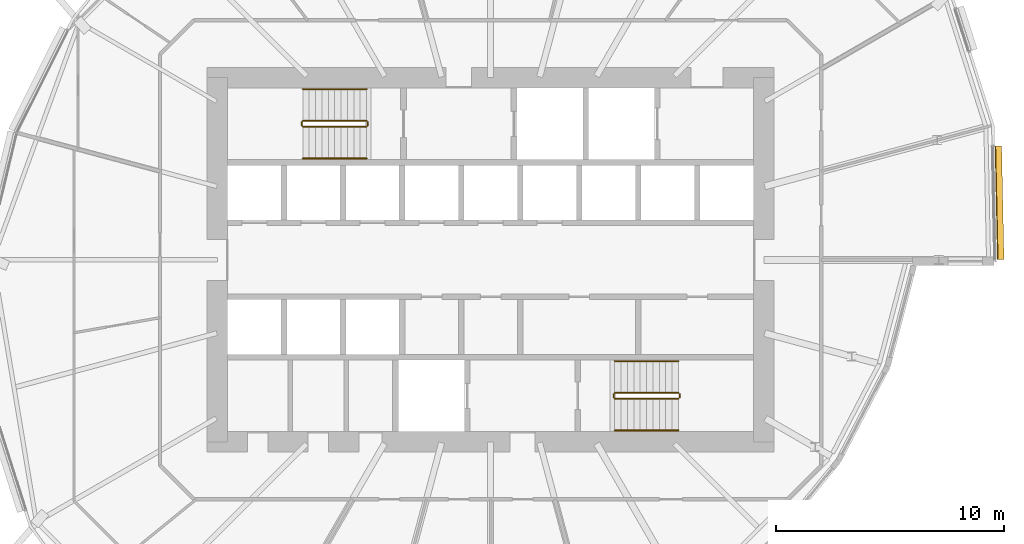
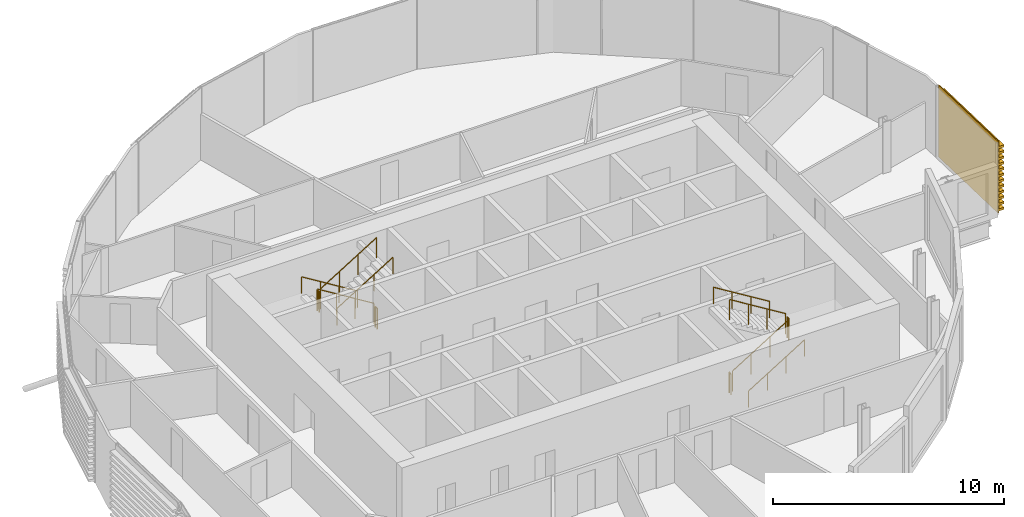
# One storey, part 37 of 38: 12 railings, 1 covering.
"""IFC4 building model written with IfcOpenShell, lengths in metres."""

from ifc_helpers import new_model, si_unit, direction, frame, origin, origin_2d, place, context, subcontext, project, spatial, polyline, circle, outline, extrude, material, material_profile, profile_set, type_object, element, save


model = new_model("IFC4")

# Units and contexts
model_context = context("Model", 3, precision=1e-05, world=origin(), true_north=direction((0.0, 1.0)))
body_context = subcontext(model_context, "Body", "Model", "MODEL_VIEW")
ifc_project = project(units=[si_unit("LENGTHUNIT", "METRE"), si_unit("AREAUNIT", "SQUARE_METRE"), si_unit("VOLUMEUNIT", "CUBIC_METRE"), si_unit("PLANEANGLEUNIT", "RADIAN"), si_unit("MASSUNIT", "GRAM", prefix="KILO")], contexts=[model_context])

# Site, building, storey
site_placement = place(None, origin())
site = spatial("IfcSite", under=ifc_project, at=site_placement, CompositionType="ELEMENT")
building_placement = place(site_placement, origin())
building = spatial("IfcBuilding", under=site, at=building_placement, Name="Rimbun Link Towers", CompositionType="ELEMENT")
storey_placement = place(building_placement, frame((0.0, 0.0, 68.0)))
storey = spatial("IfcBuildingStorey", under=building, at=storey_placement, Name="L16", CompositionType="ELEMENT", Elevation=68.0)

# Railings
ifc_material_1 = material(Name="Stainless steel grade 316", Category="steel")
railing_type_1 = type_object("IfcRailingType", Name="Stair guard", PredefinedType="GUARDRAIL", material=ifc_material_1)
railing_1_placement = place(storey_placement, frame((26.300048828125, 6.10009765625, 0.172607421875)))
element("IfcRailing", 1, at=railing_1_placement, inside=storey, type_object=railing_type_1, Name="L16 ST3 stair guard 1", PredefinedType="GUARDRAIL", context=body_context, shape_type="SweptSolid", body=[
    extrude(circle(Radius=0.02392578125, at=origin_2d()), frame((0.0, 0.0, 1.076171875), z_axis=(-0.851089632645, 0.0, 0.525020415988), x_axis=(0.0, -1.0, 0.0)), (0.0, 0.0, 1.0), 3.2900390625),
    extrude(circle(Radius=0.02099609375, at=origin_2d()), origin(), (0.0, 0.0, 1.0), 1.052001953125),
    extrude(circle(Radius=0.02099609375, at=origin_2d()), frame((-0.933349609375, 0.0, 0.57568359375)), (0.0, 0.0, 1.0), 1.052001953125),
    extrude(circle(Radius=0.02099609375, at=origin_2d()), frame((-1.86669921875, 0.0, 1.151611328125)), (0.0, 0.0, 1.0), 1.052001953125),
    extrude(circle(Radius=0.02099609375, at=origin_2d()), frame((-2.800048828125, 0.0, 1.727294921875)), (0.0, 0.0, 1.0), 1.052001953125),
])
railing_2_placement = place(storey_placement, frame((23.449951171875, 6.050048828125, 1.89990234375)))
element("IfcRailing", 2, at=railing_2_placement, inside=storey, type_object=railing_type_1, Name="L16 ST3 stair guard 2", PredefinedType="GUARDRAIL", context=body_context, shape_type="SweptSolid", body=[
    extrude(circle(Radius=0.02392578125, at=origin_2d()), frame((0.0, 0.0, 1.076171875), z_axis=(0.0, -1.0, 0.0), x_axis=(1.0, 0.0, 0.0)), (0.0, 0.0, 1.0), 0.150146484375),
    extrude(circle(Radius=0.02099609375, at=origin_2d()), origin(), (0.0, 0.0, 1.0), 1.052001953125),
    extrude(circle(Radius=0.02099609375, at=origin_2d()), frame((0.0, -0.150146484375, 0.0)), (0.0, 0.0, 1.0), 1.052001953125),
])
railing_3_placement = place(storey_placement, frame((23.5, 5.85009765625, 2.07275390625)))
element("IfcRailing", 3, at=railing_3_placement, inside=storey, type_object=railing_type_1, Name="L16 ST3 stair guard 3", PredefinedType="GUARDRAIL", context=body_context, shape_type="SweptSolid", body=[
    extrude(circle(Radius=0.02392578125, at=origin_2d()), frame((0.0, 0.0, 1.076171875), z_axis=(0.851089632645, 0.0, 0.525020415988), x_axis=(0.0, 1.0, 0.0)), (0.0, 0.0, 1.0), 3.2900390625),
    extrude(circle(Radius=0.02099609375, at=origin_2d()), origin(), (0.0, 0.0, 1.0), 1.052001953125),
    extrude(circle(Radius=0.02099609375, at=origin_2d()), frame((0.933349609375, 0.0, 0.57568359375)), (0.0, 0.0, 1.0), 1.052001953125),
    extrude(circle(Radius=0.02099609375, at=origin_2d()), frame((1.86669921875, 0.0, 1.151611328125)), (0.0, 0.0, 1.0), 1.052001953125),
    extrude(circle(Radius=0.02099609375, at=origin_2d()), frame((2.800048828125, 0.0, 1.727294921875)), (0.0, 0.0, 1.0), 1.052001953125),
])
railing_4_placement = place(storey_placement, frame((26.35009765625, 6.050048828125, 0.0)))
element("IfcRailing", 4, at=railing_4_placement, inside=storey, type_object=railing_type_1, Name="L16 ST3 stair guard 4", PredefinedType="GUARDRAIL", context=body_context, shape_type="SweptSolid", body=[
    extrude(circle(Radius=0.02392578125, at=origin_2d()), frame((0.0, 0.0, 1.076171875), z_axis=(0.0, -1.0, 0.0), x_axis=(1.0, 0.0, 0.0)), (0.0, 0.0, 1.0), 0.150146484375),
    extrude(circle(Radius=0.02099609375, at=origin_2d()), origin(), (0.0, 0.0, 1.0), 1.052001953125),
    extrude(circle(Radius=0.02099609375, at=origin_2d()), frame((0.0, -0.150146484375, 0.0)), (0.0, 0.0, 1.0), 1.052001953125),
])
railing_5_placement = place(storey_placement, frame((37.199951171875, -6.10009765625, 0.172607421875)))
element("IfcRailing", 5, at=railing_5_placement, inside=storey, type_object=railing_type_1, Name="L16 ST4 stair guard 1", PredefinedType="GUARDRAIL", context=body_context, shape_type="SweptSolid", body=[
    extrude(circle(Radius=0.02392578125, at=origin_2d()), frame((0.0, 0.0, 1.076171875), z_axis=(0.851089632645, 0.0, 0.525020415988), x_axis=(0.0, 1.0, 0.0)), (0.0, 0.0, 1.0), 3.2900390625),
    extrude(circle(Radius=0.02099609375, at=origin_2d()), origin(), (0.0, 0.0, 1.0), 1.052001953125),
    extrude(circle(Radius=0.02099609375, at=origin_2d()), frame((0.933349609375, 0.0, 0.57568359375)), (0.0, 0.0, 1.0), 1.052001953125),
    extrude(circle(Radius=0.02099609375, at=origin_2d()), frame((1.86669921875, 0.0, 1.151611328125)), (0.0, 0.0, 1.0), 1.052001953125),
    extrude(circle(Radius=0.02099609375, at=origin_2d()), frame((2.800048828125, 0.0, 1.727294921875)), (0.0, 0.0, 1.0), 1.052001953125),
])
railing_6_placement = place(storey_placement, frame((40.050048828125, -6.050048828125, 1.89990234375)))
element("IfcRailing", 6, at=railing_6_placement, inside=storey, type_object=railing_type_1, Name="L16 ST4 stair guard 2", PredefinedType="GUARDRAIL", context=body_context, shape_type="SweptSolid", body=[
    extrude(circle(Radius=0.02392578125, at=origin_2d()), frame((0.0, 0.0, 1.076171875), z_axis=(0.0, 1.0, 0.0), x_axis=(-1.0, 0.0, 0.0)), (0.0, 0.0, 1.0), 0.150146484375),
    extrude(circle(Radius=0.02099609375, at=origin_2d()), origin(), (0.0, 0.0, 1.0), 1.052001953125),
    extrude(circle(Radius=0.02099609375, at=origin_2d()), frame((0.0, 0.150146484375, 0.0)), (0.0, 0.0, 1.0), 1.052001953125),
])
railing_7_placement = place(storey_placement, frame((40.0, -5.85009765625, 2.07275390625)))
element("IfcRailing", 7, at=railing_7_placement, inside=storey, type_object=railing_type_1, Name="L16 ST4 stair guard 3", PredefinedType="GUARDRAIL", context=body_context, shape_type="SweptSolid", body=[
    extrude(circle(Radius=0.02392578125, at=origin_2d()), frame((0.0, 0.0, 1.076171875), z_axis=(-0.851089632645, 0.0, 0.525020415988), x_axis=(0.0, -1.0, 0.0)), (0.0, 0.0, 1.0), 3.2900390625),
    extrude(circle(Radius=0.02099609375, at=origin_2d()), origin(), (0.0, 0.0, 1.0), 1.052001953125),
    extrude(circle(Radius=0.02099609375, at=origin_2d()), frame((-0.933349609375, 0.0, 0.57568359375)), (0.0, 0.0, 1.0), 1.052001953125),
    extrude(circle(Radius=0.02099609375, at=origin_2d()), frame((-1.86669921875, 0.0, 1.151611328125)), (0.0, 0.0, 1.0), 1.052001953125),
    extrude(circle(Radius=0.02099609375, at=origin_2d()), frame((-2.800048828125, 0.0, 1.727294921875)), (0.0, 0.0, 1.0), 1.052001953125),
])
railing_8_placement = place(storey_placement, frame((37.14990234375, -6.050048828125, 0.0)))
element("IfcRailing", 8, at=railing_8_placement, inside=storey, type_object=railing_type_1, Name="L16 ST4 stair guard 4", PredefinedType="GUARDRAIL", context=body_context, shape_type="SweptSolid", body=[
    extrude(circle(Radius=0.02392578125, at=origin_2d()), frame((0.0, 0.0, 1.076171875), z_axis=(0.0, 1.0, 0.0), x_axis=(-1.0, 0.0, 0.0)), (0.0, 0.0, 1.0), 0.150146484375),
    extrude(circle(Radius=0.02099609375, at=origin_2d()), origin(), (0.0, 0.0, 1.0), 1.052001953125),
    extrude(circle(Radius=0.02099609375, at=origin_2d()), frame((0.0, 0.150146484375, 0.0)), (0.0, 0.0, 1.0), 1.052001953125),
])
ifc_material_2 = material(Name="Stainless steel grade 316", Category="steel")
railing_type_2 = type_object("IfcRailingType", Name="Stair handrail", PredefinedType="HANDRAIL", material=ifc_material_2)
railing_9_placement = place(storey_placement, frame((26.300048828125, 7.5, 0.172607421875)))
element("IfcRailing", 9, at=railing_9_placement, inside=storey, type_object=railing_type_2, Name="L16 ST3 stair handrail 1", PredefinedType="HANDRAIL", context=body_context, shape_type="SweptSolid", body=[
    extrude(circle(Radius=0.02392578125, at=origin_2d()), frame((0.0, 0.0, 0.8759765625), z_axis=(-0.851089632645, 0.0, 0.525020415988), x_axis=(0.0, -1.0, 0.0)), (0.0, 0.0, 1.0), 3.2900390625),
    extrude(circle(Radius=0.02099609375, at=origin_2d()), origin(), (0.0, 0.0, 1.0), 0.851806640625),
    extrude(circle(Radius=0.02099609375, at=origin_2d()), frame((-0.933349609375, 0.0, 0.57568359375)), (0.0, 0.0, 1.0), 0.851806640625),
    extrude(circle(Radius=0.02099609375, at=origin_2d()), frame((-1.86669921875, 0.0, 1.151611328125)), (0.0, 0.0, 1.0), 0.851806640625),
    extrude(circle(Radius=0.02099609375, at=origin_2d()), frame((-2.800048828125, 0.0, 1.727294921875)), (0.0, 0.0, 1.0), 0.851806640625),
])
for number, where, name in (
    (10, (23.5, 4.449951171875, 2.07275390625), "L16 ST3 stair handrail 2"),
    (11, (37.199951171875, -7.5, 0.172607421875), "L16 ST4 stair handrail 1"),
):
    element("IfcRailing", number, at=place(storey_placement, frame(where)), inside=storey, type_object=railing_type_2, Name=name, PredefinedType="HANDRAIL", context=body_context, shape_type="SweptSolid", body=[
        extrude(circle(Radius=0.02392578125, at=origin_2d()), frame((0.0, 0.0, 0.8759765625), z_axis=(0.851089632645, 0.0, 0.525020415988), x_axis=(0.0, 1.0, 0.0)), (0.0, 0.0, 1.0), 3.2900390625),
        extrude(circle(Radius=0.02099609375, at=origin_2d()), origin(), (0.0, 0.0, 1.0), 0.851806640625),
        extrude(circle(Radius=0.02099609375, at=origin_2d()), frame((0.933349609375, 0.0, 0.57568359375)), (0.0, 0.0, 1.0), 0.851806640625),
        extrude(circle(Radius=0.02099609375, at=origin_2d()), frame((1.86669921875, 0.0, 1.151611328125)), (0.0, 0.0, 1.0), 0.851806640625),
        extrude(circle(Radius=0.02099609375, at=origin_2d()), frame((2.800048828125, 0.0, 1.727294921875)), (0.0, 0.0, 1.0), 0.851806640625),
    ])
railing_10_placement = place(storey_placement, frame((40.0, -4.449951171875, 2.07275390625)))
element("IfcRailing", 12, at=railing_10_placement, inside=storey, type_object=railing_type_2, Name="L16 ST4 stair handrail 2", PredefinedType="HANDRAIL", context=body_context, shape_type="SweptSolid", body=[
    extrude(circle(Radius=0.02392578125, at=origin_2d()), frame((0.0, 0.0, 0.8759765625), z_axis=(-0.851089632645, 0.0, 0.525020415988), x_axis=(0.0, -1.0, 0.0)), (0.0, 0.0, 1.0), 3.2900390625),
    extrude(circle(Radius=0.02099609375, at=origin_2d()), origin(), (0.0, 0.0, 1.0), 0.851806640625),
    extrude(circle(Radius=0.02099609375, at=origin_2d()), frame((-0.933349609375, 0.0, 0.57568359375)), (0.0, 0.0, 1.0), 0.851806640625),
    extrude(circle(Radius=0.02099609375, at=origin_2d()), frame((-1.86669921875, 0.0, 1.151611328125)), (0.0, 0.0, 1.0), 0.851806640625),
    extrude(circle(Radius=0.02099609375, at=origin_2d()), frame((-2.800048828125, 0.0, 1.727294921875)), (0.0, 0.0, 1.0), 0.851806640625),
])

# Covering
ifc_material_3 = material(Name="Terracotta", Category="masonry")
ifc_material_profile = material_profile(ifc_material_3, outline(polyline([(0.123046875, 0.0), (0.1630859375, 0.0), (0.1630859375, 0.10009765625), (0.423095703125, 0.10009765625), (0.423095703125, 0.219970703125), (0.1630859375, 0.219970703125), (0.1630859375, 0.39990234375), (0.423095703125, 0.39990234375), (0.423095703125, 0.52001953125), (0.1630859375, 0.52001953125), (0.1630859375, 0.699951171875), (0.423095703125, 0.699951171875), (0.423095703125, 0.820068359375), (0.1630859375, 0.820068359375), (0.1630859375, 1.0), (0.423095703125, 1.0), (0.423095703125, 1.1201171875), (0.1630859375, 1.1201171875), (0.1630859375, 1.300048828125), (0.423095703125, 1.300048828125), (0.423095703125, 1.419921875), (0.1630859375, 1.419921875), (0.1630859375, 1.60009765625), (0.423095703125, 1.60009765625), (0.423095703125, 1.719970703125), (0.1630859375, 1.719970703125), (0.1630859375, 1.89990234375), (0.423095703125, 1.89990234375), (0.423095703125, 2.02001953125), (0.1630859375, 2.02001953125), (0.1630859375, 2.199951171875), (0.423095703125, 2.199951171875), (0.423095703125, 2.320068359375), (0.1630859375, 2.320068359375), (0.1630859375, 2.5), (0.423095703125, 2.5), (0.423095703125, 2.6201171875), (0.1630859375, 2.6201171875), (0.1630859375, 2.800048828125), (0.423095703125, 2.800048828125), (0.423095703125, 2.919921875), (0.1630859375, 2.919921875), (0.1630859375, 3.10009765625), (0.423095703125, 3.10009765625), (0.423095703125, 3.219970703125), (0.1630859375, 3.219970703125), (0.1630859375, 3.39990234375), (0.423095703125, 3.39990234375), (0.423095703125, 3.52001953125), (0.1630859375, 3.52001953125), (0.1630859375, 3.800048828125), (0.123046875, 3.800048828125), (0.123046875, 0.0)])), Name="BAGUETTE 120X300")
ifc_profile_set = profile_set([ifc_material_profile], Name="Terracotta")
covering_type = type_object("IfcCoveringType", Name="TERRACOTTA BAGUETTE 120X300 H3800", PredefinedType="CLADDING", material=ifc_profile_set)
covering_placement = place(storey_placement, frame((53.773681640625, 4.996337890625, 0.0), z_axis=(0.021055677953, -0.999778304639, 0.0), x_axis=(0.999778304639, 0.021055677953, 0.0)))
element("IfcCovering", 13, at=covering_placement, inside=storey, type_object=covering_type, Name="TERRACOTTA BAGUETTE", PredefinedType="CLADDING", context=body_context, shape_type="SweptSolid", body=[
    extrude(outline(polyline([(0.123046875, 0.0), (0.1630859375, 0.0), (0.1630859375, 0.10009765625), (0.423095703125, 0.10009765625), (0.423095703125, 0.219970703125), (0.1630859375, 0.219970703125), (0.1630859375, 0.39990234375), (0.423095703125, 0.39990234375), (0.423095703125, 0.52001953125), (0.1630859375, 0.52001953125), (0.1630859375, 0.699951171875), (0.423095703125, 0.699951171875), (0.423095703125, 0.820068359375), (0.1630859375, 0.820068359375), (0.1630859375, 1.0), (0.423095703125, 1.0), (0.423095703125, 1.1201171875), (0.1630859375, 1.1201171875), (0.1630859375, 1.300048828125), (0.423095703125, 1.300048828125), (0.423095703125, 1.419921875), (0.1630859375, 1.419921875), (0.1630859375, 1.60009765625), (0.423095703125, 1.60009765625), (0.423095703125, 1.719970703125), (0.1630859375, 1.719970703125), (0.1630859375, 1.89990234375), (0.423095703125, 1.89990234375), (0.423095703125, 2.02001953125), (0.1630859375, 2.02001953125), (0.1630859375, 2.199951171875), (0.423095703125, 2.199951171875), (0.423095703125, 2.320068359375), (0.1630859375, 2.320068359375), (0.1630859375, 2.5), (0.423095703125, 2.5), (0.423095703125, 2.6201171875), (0.1630859375, 2.6201171875), (0.1630859375, 2.800048828125), (0.423095703125, 2.800048828125), (0.423095703125, 2.919921875), (0.1630859375, 2.919921875), (0.1630859375, 3.10009765625), (0.423095703125, 3.10009765625), (0.423095703125, 3.219970703125), (0.1630859375, 3.219970703125), (0.1630859375, 3.39990234375), (0.423095703125, 3.39990234375), (0.423095703125, 3.52001953125), (0.1630859375, 3.52001953125), (0.1630859375, 3.800048828125), (0.123046875, 3.800048828125), (0.123046875, 0.0)])), origin(), (0.0, 0.0, 1.0), 4.99755859375),
])

save(model, "model.ifc")
